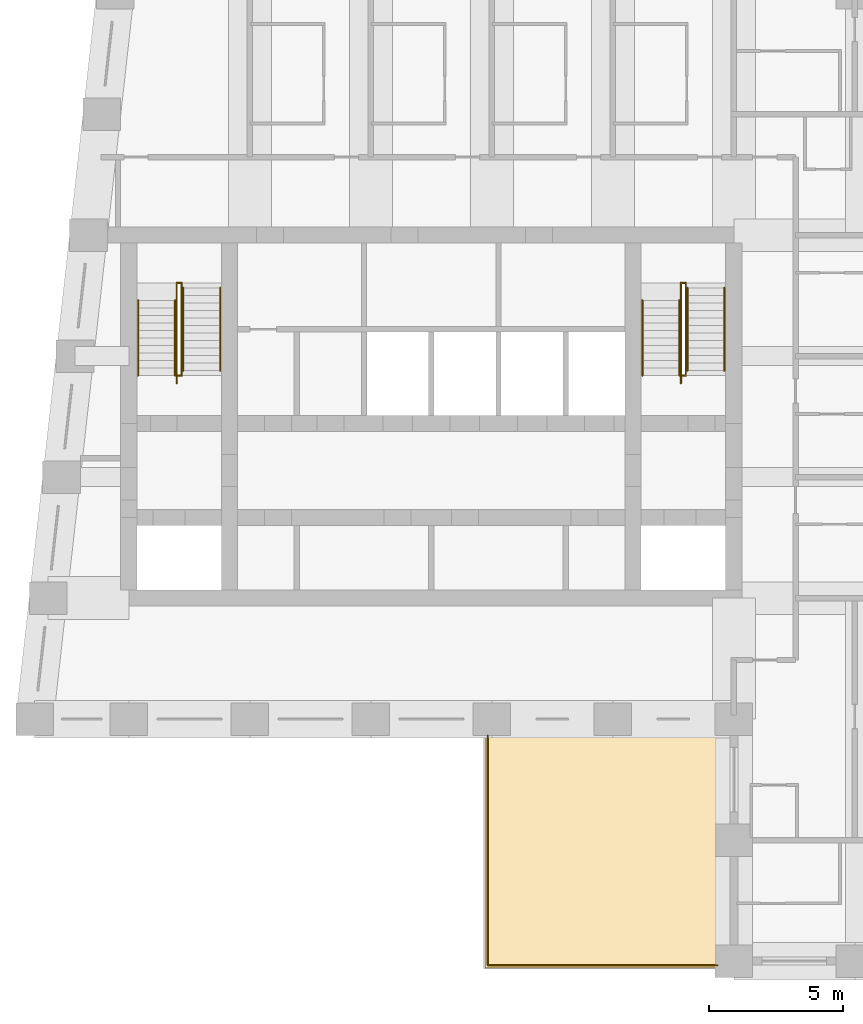
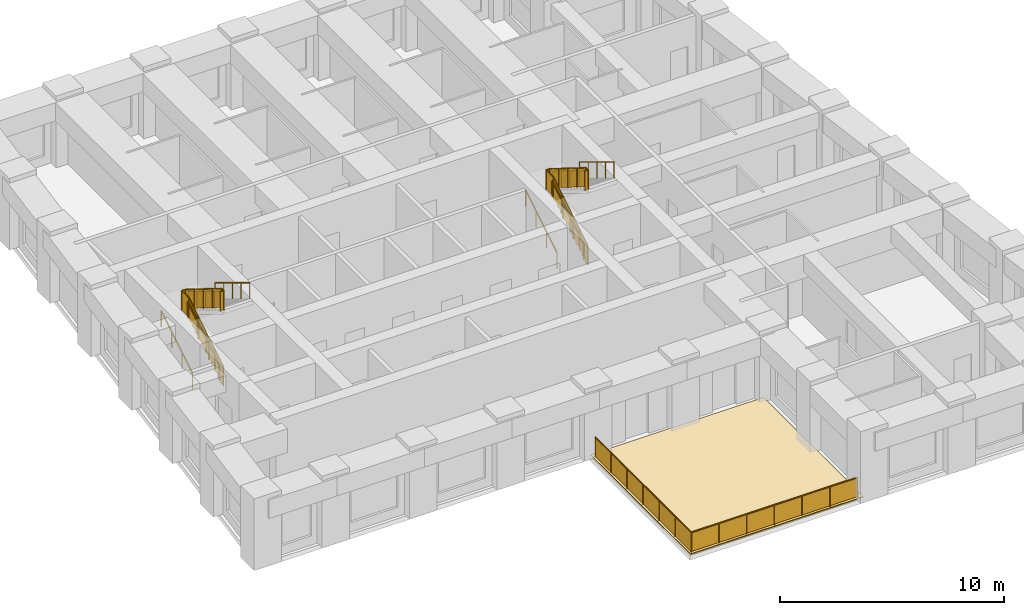
# One storey, part 7 of 7: 13 railings, 1 covering.
"""IFC4 building model written with IfcOpenShell, lengths in metres."""

from ifc_helpers import new_model, si_unit, direction, frame, origin, origin_2d, place, context, subcontext, project, spatial, polyline, circle, outline, extrude, material, layer, layer_set, type_object, element, save


model = new_model("IFC4")

# Units and contexts
model_context = context("Model", 3, precision=1e-05, world=origin(), true_north=direction((0.0, 1.0)))
body_context = subcontext(model_context, "Body", "Model", "MODEL_VIEW")
ifc_project = project(units=[si_unit("LENGTHUNIT", "METRE"), si_unit("AREAUNIT", "SQUARE_METRE"), si_unit("VOLUMEUNIT", "CUBIC_METRE"), si_unit("PLANEANGLEUNIT", "RADIAN"), si_unit("MASSUNIT", "GRAM", prefix="KILO")], contexts=[model_context])

# Site, building, storey
site_placement = place(None, origin())
site = spatial("IfcSite", under=ifc_project, at=site_placement, CompositionType="ELEMENT")
building_placement = place(site_placement, origin())
building = spatial("IfcBuilding", under=site, at=building_placement, Name="Kilele Tower Hotel", CompositionType="ELEMENT")
storey_placement = place(building_placement, frame((0.0, 0.0, 250.699951171875)))
storey = spatial("IfcBuildingStorey", under=building, at=storey_placement, Name="L64", CompositionType="ELEMENT", Elevation=250.699951171875)

# Railings
ifc_material_1 = material(Name="Toughened laminated glass balustrade", Category="glass")
railing_type_1 = type_object("IfcRailingType", Name="Glass balustrade 1100", PredefinedType="BALUSTRADE", material=ifc_material_1)
railing_1_placement = place(storey_placement, frame((35.39990234375, -0.14990234375, 0.050048828125)))
element("IfcRailing", 1, at=railing_1_placement, inside=storey, type_object=railing_type_1, Name="Terrace balustrade", PredefinedType="BALUSTRADE", context=body_context, shape_type="SweptSolid", body=[
    extrude(circle(Radius=0.030029296875, at=origin_2d()), frame((0.0, 0.0, 1.070068359375), z_axis=(-1.0, 0.0, 0.0), x_axis=(0.0, -1.0, 0.0)), (0.0, 0.0, 1.0), 8.5498046875),
    extrude(circle(Radius=0.030029296875, at=origin_2d()), frame((-8.5498046875, 0.0, 1.070068359375), z_axis=(0.0, 1.0, 0.0), x_axis=(-1.0, 0.0, 0.0)), (0.0, 0.0, 1.0), 8.5498046875),
    extrude(circle(Radius=0.02490234375, at=origin_2d()), origin(), (0.0, 0.0, 1.0), 1.0400390625),
    extrude(circle(Radius=0.02490234375, at=origin_2d()), frame((-1.425048828125, 0.0, 0.0)), (0.0, 0.0, 1.0), 1.0400390625),
    extrude(circle(Radius=0.02490234375, at=origin_2d()), frame((-2.849853515625, 0.0, 0.0)), (0.0, 0.0, 1.0), 1.0400390625),
    extrude(circle(Radius=0.02490234375, at=origin_2d()), frame((-4.27490234375, 0.0, 0.0)), (0.0, 0.0, 1.0), 1.0400390625),
    extrude(circle(Radius=0.02490234375, at=origin_2d()), frame((-5.699951171875, 0.0, 0.0)), (0.0, 0.0, 1.0), 1.0400390625),
    extrude(circle(Radius=0.02490234375, at=origin_2d()), frame((-7.124755859375, 0.0, 0.0)), (0.0, 0.0, 1.0), 1.0400390625),
    extrude(circle(Radius=0.02490234375, at=origin_2d()), frame((-8.5498046875, 0.0, 0.0)), (0.0, 0.0, 1.0), 1.0400390625),
    extrude(circle(Radius=0.02490234375, at=origin_2d()), frame((-8.5498046875, 1.425048828125, 0.0)), (0.0, 0.0, 1.0), 1.0400390625),
    extrude(circle(Radius=0.02490234375, at=origin_2d()), frame((-8.5498046875, 2.849853515625, 0.0)), (0.0, 0.0, 1.0), 1.0400390625),
    extrude(circle(Radius=0.02490234375, at=origin_2d()), frame((-8.5498046875, 4.27490234375, 0.0)), (0.0, 0.0, 1.0), 1.0400390625),
    extrude(circle(Radius=0.02490234375, at=origin_2d()), frame((-8.5498046875, 5.699951171875, 0.0)), (0.0, 0.0, 1.0), 1.0400390625),
    extrude(circle(Radius=0.02490234375, at=origin_2d()), frame((-8.5498046875, 7.124755859375, 0.0)), (0.0, 0.0, 1.0), 1.0400390625),
    extrude(circle(Radius=0.02490234375, at=origin_2d()), frame((-8.5498046875, 8.5498046875, 0.0)), (0.0, 0.0, 1.0), 1.0400390625),
    extrude(outline(polyline([(0.0, 0.030029296875), (8.537353515625, 0.030029296875), (8.537353515625, 1.0400390625), (0.0, 1.0400390625), (0.0, 0.030029296875)])), frame((0.0, -0.0087890625, 0.0), z_axis=(0.0, 1.0, 0.0), x_axis=(-1.0, 0.0, 0.0)), (0.0, 0.0, 1.0), 0.017578125),
    extrude(outline(polyline([(0.012451171875, 0.030029296875), (8.5498046875, 0.030029296875), (8.5498046875, 1.0400390625), (0.012451171875, 1.0400390625), (0.012451171875, 0.030029296875)])), frame((-8.55859375, 0.0, 0.0), z_axis=(1.0, 0.0, 0.0), x_axis=(0.0, 1.0, 0.0)), (0.0, 0.0, 1.0), 0.017578125),
])
ifc_material_2 = material(Name="Steel handrail", Category="steel")
railing_type_2 = type_object("IfcRailingType", Name="Handrail 900", PredefinedType="HANDRAIL", material=ifc_material_2)
for number, where, name in (
    (2, (13.85009765625, 21.77490234375, 0.169677734375), "Handrail ST1 flight 1"),
    (3, (15.22509765625, 21.77490234375, 0.169677734375), "Handrail ST1 flight 1"),
):
    element("IfcRailing", number, at=place(storey_placement, frame(where)), inside=storey, type_object=railing_type_2, Name=name, PredefinedType="HANDRAIL", context=body_context, shape_type="SweptSolid", body=[
        extrude(circle(Radius=0.02490234375, at=origin_2d()), frame((0.0, 0.0, 0.875), z_axis=(0.0, 0.855393119324, 0.517979354234), x_axis=(-1.0, 0.0, 0.0)), (0.0, 0.0, 1.0), 3.2734375),
        extrude(circle(Radius=0.02001953125, at=origin_2d()), origin(), (0.0, 0.0, 1.0), 0.849853515625),
        extrude(circle(Radius=0.02001953125, at=origin_2d()), frame((0.0, 0.933349609375, 0.565185546875)), (0.0, 0.0, 1.0), 0.849853515625),
        extrude(circle(Radius=0.02001953125, at=origin_2d()), frame((0.0, 1.86669921875, 1.13037109375)), (0.0, 0.0, 1.0), 0.849853515625),
        extrude(circle(Radius=0.02001953125, at=origin_2d()), frame((0.0, 2.800048828125, 1.695556640625)), (0.0, 0.0, 1.0), 0.849853515625),
    ])
for number, where, name in (
    (4, (15.52490234375, 25.0400390625, 2.034912109375), "Handrail ST1 flight 2"),
    (5, (16.89990234375, 25.0400390625, 2.034912109375), "Handrail ST1 flight 2"),
):
    element("IfcRailing", number, at=place(storey_placement, frame(where)), inside=storey, type_object=railing_type_2, Name=name, PredefinedType="HANDRAIL", context=body_context, shape_type="SweptSolid", body=[
        extrude(circle(Radius=0.02490234375, at=origin_2d()), frame((0.0, 0.0, 0.875), z_axis=(0.0, -0.855379917629, 0.518001154937), x_axis=(1.0, 0.0, 0.0)), (0.0, 0.0, 1.0), 3.600830078125),
        extrude(circle(Radius=0.02001953125, at=origin_2d()), origin(), (0.0, 0.0, 1.0), 0.849853515625),
        extrude(circle(Radius=0.02001953125, at=origin_2d()), frame((0.0, -0.77001953125, 0.46630859375)), (0.0, 0.0, 1.0), 0.849853515625),
        extrude(circle(Radius=0.02001953125, at=origin_2d()), frame((0.0, -1.5400390625, 0.9326171875)), (0.0, 0.0, 1.0), 0.849853515625),
        extrude(circle(Radius=0.02001953125, at=origin_2d()), frame((0.0, -2.31005859375, 1.39892578125)), (0.0, 0.0, 1.0), 0.849853515625),
        extrude(circle(Radius=0.02001953125, at=origin_2d()), frame((0.0, -3.080078125, 1.865234375)), (0.0, 0.0, 1.0), 0.849853515625),
    ])
for number, where, name in (
    (6, (32.60009765625, 21.77490234375, 0.169677734375), "Handrail ST2 flight 1"),
    (7, (33.97509765625, 21.77490234375, 0.169677734375), "Handrail ST2 flight 1"),
):
    element("IfcRailing", number, at=place(storey_placement, frame(where)), inside=storey, type_object=railing_type_2, Name=name, PredefinedType="HANDRAIL", context=body_context, shape_type="SweptSolid", body=[
        extrude(circle(Radius=0.02490234375, at=origin_2d()), frame((0.0, 0.0, 0.875), z_axis=(0.0, 0.855393119324, 0.517979354234), x_axis=(-1.0, 0.0, 0.0)), (0.0, 0.0, 1.0), 3.2734375),
        extrude(circle(Radius=0.02001953125, at=origin_2d()), origin(), (0.0, 0.0, 1.0), 0.849853515625),
        extrude(circle(Radius=0.02001953125, at=origin_2d()), frame((0.0, 0.933349609375, 0.565185546875)), (0.0, 0.0, 1.0), 0.849853515625),
        extrude(circle(Radius=0.02001953125, at=origin_2d()), frame((0.0, 1.86669921875, 1.13037109375)), (0.0, 0.0, 1.0), 0.849853515625),
        extrude(circle(Radius=0.02001953125, at=origin_2d()), frame((0.0, 2.800048828125, 1.695556640625)), (0.0, 0.0, 1.0), 0.849853515625),
    ])
for number, where, name in (
    (8, (34.27490234375, 25.0400390625, 2.034912109375), "Handrail ST2 flight 2"),
    (9, (35.64990234375, 25.0400390625, 2.034912109375), "Handrail ST2 flight 2"),
):
    element("IfcRailing", number, at=place(storey_placement, frame(where)), inside=storey, type_object=railing_type_2, Name=name, PredefinedType="HANDRAIL", context=body_context, shape_type="SweptSolid", body=[
        extrude(circle(Radius=0.02490234375, at=origin_2d()), frame((0.0, 0.0, 0.875), z_axis=(0.0, -0.855379917629, 0.518001154937), x_axis=(1.0, 0.0, 0.0)), (0.0, 0.0, 1.0), 3.600830078125),
        extrude(circle(Radius=0.02001953125, at=origin_2d()), origin(), (0.0, 0.0, 1.0), 0.849853515625),
        extrude(circle(Radius=0.02001953125, at=origin_2d()), frame((0.0, -0.77001953125, 0.46630859375)), (0.0, 0.0, 1.0), 0.849853515625),
        extrude(circle(Radius=0.02001953125, at=origin_2d()), frame((0.0, -1.5400390625, 0.9326171875)), (0.0, 0.0, 1.0), 0.849853515625),
        extrude(circle(Radius=0.02001953125, at=origin_2d()), frame((0.0, -2.31005859375, 1.39892578125)), (0.0, 0.0, 1.0), 0.849853515625),
        extrude(circle(Radius=0.02001953125, at=origin_2d()), frame((0.0, -3.080078125, 1.865234375)), (0.0, 0.0, 1.0), 0.849853515625),
    ])
ifc_material_3 = material(Name="Steel guard", Category="steel")
railing_type_3 = type_object("IfcRailingType", Name="Stair guard 1100", PredefinedType="GUARDRAIL", material=ifc_material_3)
railing_2_placement = place(storey_placement, frame((15.284912109375, 21.4951171875, 0.0)))
element("IfcRailing", 10, at=railing_2_placement, inside=storey, type_object=railing_type_3, Name="Stair well guard ST1 flight 1", PredefinedType="GUARDRAIL", context=body_context, shape_type="SweptSolid", body=[
    extrude(circle(Radius=0.02490234375, at=origin_2d()), frame((0.0, 0.0, 1.0751953125), z_axis=(0.0, 0.855361723277, 0.518031198243), x_axis=(-1.0, 0.0, 0.0)), (0.0, 0.0, 1.0), 3.6005859375),
    extrude(circle(Radius=0.02490234375, at=origin_2d()), frame((0.0, 3.079833984375, 2.9404296875), z_axis=(0.0, 1.0, 0.0), x_axis=(-1.0, 0.0, 0.0)), (0.0, 0.0, 1.0), 0.650146484375),
    extrude(circle(Radius=0.02490234375, at=origin_2d()), frame((0.0, 3.72998046875, 2.9404296875), z_axis=(1.0, 0.0, 0.0), x_axis=(0.0, 1.0, 0.0)), (0.0, 0.0, 1.0), 0.18017578125),
    extrude(circle(Radius=0.02490234375, at=origin_2d()), origin(), (0.0, 0.0, 1.0), 1.050048828125),
    extrude(circle(Radius=0.02490234375, at=origin_2d()), frame((0.0, 0.77001953125, 0.46630859375)), (0.0, 0.0, 1.0), 1.050048828125),
    extrude(circle(Radius=0.02490234375, at=origin_2d()), frame((0.0, 1.5400390625, 0.9326171875)), (0.0, 0.0, 1.0), 1.050048828125),
    extrude(circle(Radius=0.02490234375, at=origin_2d()), frame((0.0, 2.309814453125, 1.39892578125)), (0.0, 0.0, 1.0), 1.050048828125),
    extrude(circle(Radius=0.02490234375, at=origin_2d()), frame((0.0, 3.079833984375, 1.865234375)), (0.0, 0.0, 1.0), 1.050048828125),
    extrude(circle(Radius=0.02490234375, at=origin_2d()), frame((0.0, 3.72998046875, 1.865234375)), (0.0, 0.0, 1.0), 1.050048828125),
    extrude(circle(Radius=0.02490234375, at=origin_2d()), frame((0.18017578125, 3.72998046875, 1.865234375)), (0.0, 0.0, 1.0), 1.050048828125),
    extrude(outline(polyline([(0.012451171875, 0.030029296875), (0.25, 0.030029296875), (0.25, 0.19970703125), (0.530029296875, 0.19970703125), (0.530029296875, 0.369140625), (0.809814453125, 0.369140625), (0.809814453125, 0.538818359375), (1.08984375, 0.538818359375), (1.08984375, 0.708251953125), (1.369873046875, 0.708251953125), (1.369873046875, 0.8779296875), (1.64990234375, 0.8779296875), (1.64990234375, 1.04736328125), (1.929931640625, 1.04736328125), (1.929931640625, 1.217041015625), (2.2099609375, 1.217041015625), (2.2099609375, 1.386474609375), (2.48974609375, 1.386474609375), (2.48974609375, 1.55615234375), (2.769775390625, 1.55615234375), (2.769775390625, 1.7255859375), (3.0498046875, 1.7255859375), (3.0498046875, 1.895263671875), (3.0673828125, 1.895263671875), (3.0673828125, 2.903564453125), (0.012451171875, 1.053466796875), (0.012451171875, 0.030029296875)])), frame((-0.005859375, 0.0, 0.0), z_axis=(1.0, 0.0, 0.0), x_axis=(0.0, 1.0, 0.0)), (0.0, 0.0, 1.0), 0.011962890625),
    extrude(outline(polyline([(0.012451171875, 0.030029296875), (0.6376953125, 0.030029296875), (0.6376953125, 1.050048828125), (0.012451171875, 1.050048828125), (0.012451171875, 0.030029296875)])), frame((-0.005859375, 3.079833984375, 1.865234375), z_axis=(1.0, 0.0, 0.0), x_axis=(0.0, 1.0, 0.0)), (0.0, 0.0, 1.0), 0.011962890625),
    extrude(outline(polyline([(0.012451171875, 0.030029296875), (0.18017578125, 0.030029296875), (0.18017578125, 1.050048828125), (0.012451171875, 1.050048828125), (0.012451171875, 0.030029296875)])), frame((0.0, 3.73583984375, 1.865234375), z_axis=(0.0, -1.0, 0.0), x_axis=(1.0, 0.0, 0.0)), (0.0, 0.0, 1.0), 0.011962890625),
])
railing_3_placement = place(storey_placement, frame((15.465087890625, 25.22509765625, 1.865234375)))
element("IfcRailing", 11, at=railing_3_placement, inside=storey, type_object=railing_type_3, Name="Stair well guard ST1 flight 2", PredefinedType="GUARDRAIL", context=body_context, shape_type="SweptSolid", body=[
    extrude(circle(Radius=0.02490234375, at=origin_2d()), frame((0.0, 0.0, 1.0751953125), z_axis=(0.0, -0.848674962302, 0.528914745834), x_axis=(1.0, 0.0, 0.0)), (0.0, 0.0, 1.0), 3.847412109375),
    extrude(circle(Radius=0.02490234375, at=origin_2d()), frame((0.0, -3.26513671875, 3.10986328125), z_axis=(0.0, -1.0, 0.0), x_axis=(1.0, 0.0, 0.0)), (0.0, 0.0, 1.0), 0.18505859375),
    extrude(circle(Radius=0.02490234375, at=origin_2d()), frame((0.0, -3.4501953125, 3.10986328125), z_axis=(-1.0, 0.0, 0.0), x_axis=(0.0, -1.0, 0.0)), (0.0, 0.0, 1.0), 0.18017578125),
    extrude(circle(Radius=0.02490234375, at=origin_2d()), origin(), (0.0, 0.0, 1.0), 1.050048828125),
    extrude(circle(Radius=0.02490234375, at=origin_2d()), frame((0.0, -0.81640625, 0.5087890625)), (0.0, 0.0, 1.0), 1.050048828125),
    extrude(circle(Radius=0.02490234375, at=origin_2d()), frame((0.0, -1.632568359375, 1.017578125)), (0.0, 0.0, 1.0), 1.050048828125),
    extrude(circle(Radius=0.02490234375, at=origin_2d()), frame((0.0, -2.44873046875, 1.526123046875)), (0.0, 0.0, 1.0), 1.050048828125),
    extrude(circle(Radius=0.02490234375, at=origin_2d()), frame((0.0, -3.26513671875, 2.034912109375)), (0.0, 0.0, 1.0), 1.050048828125),
    extrude(circle(Radius=0.02490234375, at=origin_2d()), frame((0.0, -3.4501953125, 2.034912109375)), (0.0, 0.0, 1.0), 1.050048828125),
    extrude(circle(Radius=0.02490234375, at=origin_2d()), frame((-0.18017578125, -3.4501953125, 2.034912109375)), (0.0, 0.0, 1.0), 1.050048828125),
    extrude(outline(polyline([(0.0, 0.030029296875), (3.252685546875, 2.05712890625), (3.252685546875, 3.07275390625), (0.0, 1.045654296875), (0.0, 0.030029296875)])), frame((0.005859375, 0.0, 0.0), z_axis=(-1.0, 0.0, 0.0), x_axis=(0.0, -1.0, 0.0)), (0.0, 0.0, 1.0), 0.011962890625),
    extrude(outline(polyline([(0.012451171875, 0.030029296875), (0.172607421875, 0.030029296875), (0.172607421875, 1.050048828125), (0.012451171875, 1.050048828125), (0.012451171875, 0.030029296875)])), frame((0.005859375, -3.26513671875, 2.034912109375), z_axis=(-1.0, 0.0, 0.0), x_axis=(0.0, -1.0, 0.0)), (0.0, 0.0, 1.0), 0.011962890625),
    extrude(outline(polyline([(0.012451171875, 0.030029296875), (0.18017578125, 0.030029296875), (0.18017578125, 1.050048828125), (0.012451171875, 1.050048828125), (0.012451171875, 0.030029296875)])), frame((0.0, -3.4560546875, 2.034912109375), z_axis=(0.0, 1.0, 0.0), x_axis=(-1.0, 0.0, 0.0)), (0.0, 0.0, 1.0), 0.011962890625),
])
railing_4_placement = place(storey_placement, frame((34.034912109375, 21.4951171875, 0.0)))
element("IfcRailing", 12, at=railing_4_placement, inside=storey, type_object=railing_type_3, Name="Stair well guard ST2 flight 1", PredefinedType="GUARDRAIL", context=body_context, shape_type="SweptSolid", body=[
    extrude(circle(Radius=0.02490234375, at=origin_2d()), frame((0.0, 0.0, 1.0751953125), z_axis=(0.0, 0.855361723277, 0.518031198243), x_axis=(-1.0, 0.0, 0.0)), (0.0, 0.0, 1.0), 3.6005859375),
    extrude(circle(Radius=0.02490234375, at=origin_2d()), frame((0.0, 3.079833984375, 2.9404296875), z_axis=(0.0, 1.0, 0.0), x_axis=(-1.0, 0.0, 0.0)), (0.0, 0.0, 1.0), 0.650146484375),
    extrude(circle(Radius=0.02490234375, at=origin_2d()), frame((0.0, 3.72998046875, 2.9404296875), z_axis=(1.0, 0.0, 0.0), x_axis=(0.0, 1.0, 0.0)), (0.0, 0.0, 1.0), 0.18017578125),
    extrude(circle(Radius=0.02490234375, at=origin_2d()), origin(), (0.0, 0.0, 1.0), 1.050048828125),
    extrude(circle(Radius=0.02490234375, at=origin_2d()), frame((0.0, 0.77001953125, 0.46630859375)), (0.0, 0.0, 1.0), 1.050048828125),
    extrude(circle(Radius=0.02490234375, at=origin_2d()), frame((0.0, 1.5400390625, 0.9326171875)), (0.0, 0.0, 1.0), 1.050048828125),
    extrude(circle(Radius=0.02490234375, at=origin_2d()), frame((0.0, 2.309814453125, 1.39892578125)), (0.0, 0.0, 1.0), 1.050048828125),
    extrude(circle(Radius=0.02490234375, at=origin_2d()), frame((0.0, 3.079833984375, 1.865234375)), (0.0, 0.0, 1.0), 1.050048828125),
    extrude(circle(Radius=0.02490234375, at=origin_2d()), frame((0.0, 3.72998046875, 1.865234375)), (0.0, 0.0, 1.0), 1.050048828125),
    extrude(circle(Radius=0.02490234375, at=origin_2d()), frame((0.18017578125, 3.72998046875, 1.865234375)), (0.0, 0.0, 1.0), 1.050048828125),
    extrude(outline(polyline([(0.012451171875, 0.030029296875), (0.25, 0.030029296875), (0.25, 0.19970703125), (0.530029296875, 0.19970703125), (0.530029296875, 0.369140625), (0.809814453125, 0.369140625), (0.809814453125, 0.538818359375), (1.08984375, 0.538818359375), (1.08984375, 0.708251953125), (1.369873046875, 0.708251953125), (1.369873046875, 0.8779296875), (1.64990234375, 0.8779296875), (1.64990234375, 1.04736328125), (1.929931640625, 1.04736328125), (1.929931640625, 1.217041015625), (2.2099609375, 1.217041015625), (2.2099609375, 1.386474609375), (2.48974609375, 1.386474609375), (2.48974609375, 1.55615234375), (2.769775390625, 1.55615234375), (2.769775390625, 1.7255859375), (3.0498046875, 1.7255859375), (3.0498046875, 1.895263671875), (3.0673828125, 1.895263671875), (3.0673828125, 2.903564453125), (0.012451171875, 1.053466796875), (0.012451171875, 0.030029296875)])), frame((-0.005859375, 0.0, 0.0), z_axis=(1.0, 0.0, 0.0), x_axis=(0.0, 1.0, 0.0)), (0.0, 0.0, 1.0), 0.011962890625),
    extrude(outline(polyline([(0.012451171875, 0.030029296875), (0.6376953125, 0.030029296875), (0.6376953125, 1.050048828125), (0.012451171875, 1.050048828125), (0.012451171875, 0.030029296875)])), frame((-0.005859375, 3.079833984375, 1.865234375), z_axis=(1.0, 0.0, 0.0), x_axis=(0.0, 1.0, 0.0)), (0.0, 0.0, 1.0), 0.011962890625),
    extrude(outline(polyline([(0.012451171875, 0.030029296875), (0.18017578125, 0.030029296875), (0.18017578125, 1.050048828125), (0.012451171875, 1.050048828125), (0.012451171875, 0.030029296875)])), frame((0.0, 3.73583984375, 1.865234375), z_axis=(0.0, -1.0, 0.0), x_axis=(1.0, 0.0, 0.0)), (0.0, 0.0, 1.0), 0.011962890625),
])
railing_5_placement = place(storey_placement, frame((34.215087890625, 25.22509765625, 1.865234375)))
element("IfcRailing", 13, at=railing_5_placement, inside=storey, type_object=railing_type_3, Name="Stair well guard ST2 flight 2", PredefinedType="GUARDRAIL", context=body_context, shape_type="SweptSolid", body=[
    extrude(circle(Radius=0.02490234375, at=origin_2d()), frame((0.0, 0.0, 1.0751953125), z_axis=(0.0, -0.848674962302, 0.528914745834), x_axis=(1.0, 0.0, 0.0)), (0.0, 0.0, 1.0), 3.847412109375),
    extrude(circle(Radius=0.02490234375, at=origin_2d()), frame((0.0, -3.26513671875, 3.10986328125), z_axis=(0.0, -1.0, 0.0), x_axis=(1.0, 0.0, 0.0)), (0.0, 0.0, 1.0), 0.18505859375),
    extrude(circle(Radius=0.02490234375, at=origin_2d()), frame((0.0, -3.4501953125, 3.10986328125), z_axis=(-1.0, 0.0, 0.0), x_axis=(0.0, -1.0, 0.0)), (0.0, 0.0, 1.0), 0.18017578125),
    extrude(circle(Radius=0.02490234375, at=origin_2d()), origin(), (0.0, 0.0, 1.0), 1.050048828125),
    extrude(circle(Radius=0.02490234375, at=origin_2d()), frame((0.0, -0.81640625, 0.5087890625)), (0.0, 0.0, 1.0), 1.050048828125),
    extrude(circle(Radius=0.02490234375, at=origin_2d()), frame((0.0, -1.632568359375, 1.017578125)), (0.0, 0.0, 1.0), 1.050048828125),
    extrude(circle(Radius=0.02490234375, at=origin_2d()), frame((0.0, -2.44873046875, 1.526123046875)), (0.0, 0.0, 1.0), 1.050048828125),
    extrude(circle(Radius=0.02490234375, at=origin_2d()), frame((0.0, -3.26513671875, 2.034912109375)), (0.0, 0.0, 1.0), 1.050048828125),
    extrude(circle(Radius=0.02490234375, at=origin_2d()), frame((0.0, -3.4501953125, 2.034912109375)), (0.0, 0.0, 1.0), 1.050048828125),
    extrude(circle(Radius=0.02490234375, at=origin_2d()), frame((-0.18017578125, -3.4501953125, 2.034912109375)), (0.0, 0.0, 1.0), 1.050048828125),
    extrude(outline(polyline([(0.0, 0.030029296875), (3.252685546875, 2.05712890625), (3.252685546875, 3.07275390625), (0.0, 1.045654296875), (0.0, 0.030029296875)])), frame((0.005859375, 0.0, 0.0), z_axis=(-1.0, 0.0, 0.0), x_axis=(0.0, -1.0, 0.0)), (0.0, 0.0, 1.0), 0.011962890625),
    extrude(outline(polyline([(0.012451171875, 0.030029296875), (0.172607421875, 0.030029296875), (0.172607421875, 1.050048828125), (0.012451171875, 1.050048828125), (0.012451171875, 0.030029296875)])), frame((0.005859375, -3.26513671875, 2.034912109375), z_axis=(-1.0, 0.0, 0.0), x_axis=(0.0, -1.0, 0.0)), (0.0, 0.0, 1.0), 0.011962890625),
    extrude(outline(polyline([(0.012451171875, 0.030029296875), (0.18017578125, 0.030029296875), (0.18017578125, 1.050048828125), (0.012451171875, 1.050048828125), (0.012451171875, 0.030029296875)])), frame((0.0, -3.4560546875, 2.034912109375), z_axis=(0.0, 1.0, 0.0), x_axis=(-1.0, 0.0, 0.0)), (0.0, 0.0, 1.0), 0.011962890625),
])

# Covering
ifc_material_4 = material(Name="Natural stone paving on pedestals", Category="masonry")
ifc_layer = layer(ifc_material_4, 0.050048828125)
ifc_layer_set = layer_set([ifc_layer], Name="Natural stone paving on pedestals")
covering_type = type_object("IfcCoveringType", Name="Terrace paving 50", PredefinedType="FLOORING", material=ifc_layer_set)
covering_placement = place(storey_placement, origin())
element("IfcCovering", 14, at=covering_placement, inside=storey, type_object=covering_type, Name="Terrace paving", PredefinedType="FLOORING", context=body_context, shape_type="SweptSolid", body=[
    extrude(outline(polyline([(26.75, -0.25), (26.75, 8.64892578125), (35.64892578125, 8.64892578125), (35.64892578125, -0.25), (26.75, -0.25)])), origin(), (0.0, 0.0, 1.0), 0.050048828125),
])

save(model, "model.ifc")
